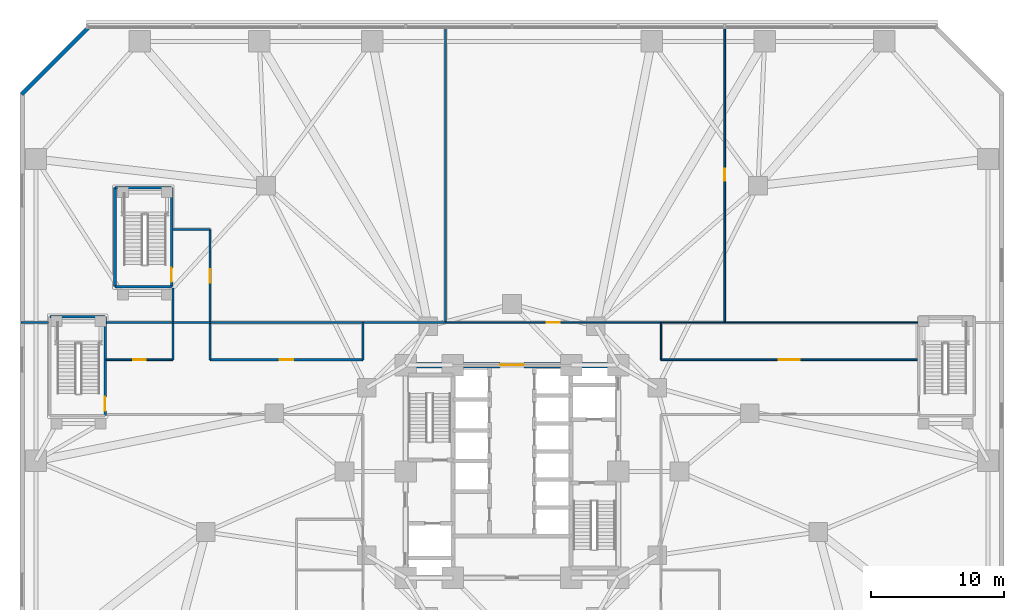
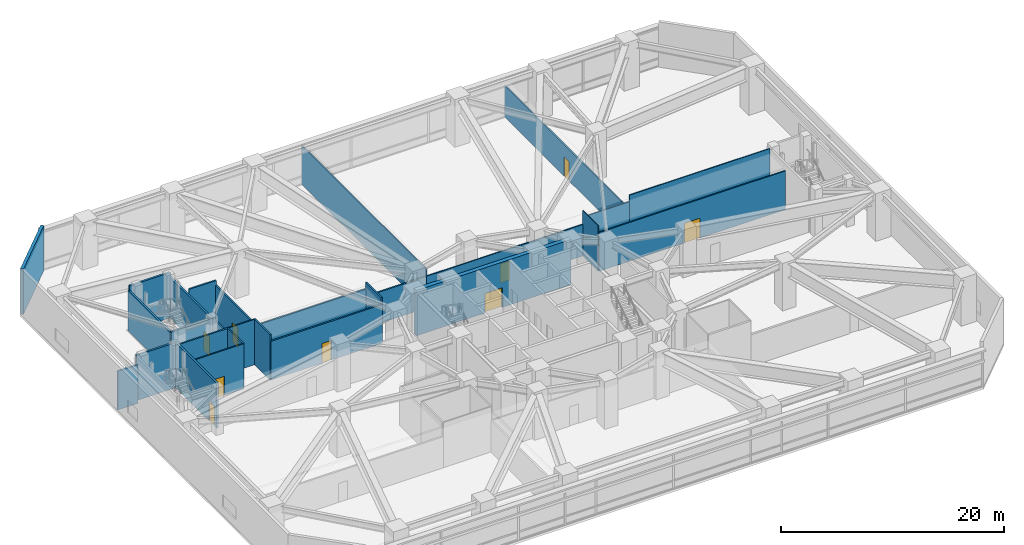
# One storey, part 17 of 27: 28 walls, 9 doors, 9 openings.
"""IFC4 building model written with IfcOpenShell, lengths in metres."""

from ifc_helpers import new_model, si_unit, direction, frame, frame_2d, origin, place, context, subcontext, project, spatial, rectangle, extrude, material, layer, layer_set, type_object, element, fill, save


model = new_model("IFC4")

# Units and contexts
model_context = context("Model", 3, precision=1e-05, world=origin(), true_north=direction((0.0, 1.0)))
body_context = subcontext(model_context, "Body", "Model", "MODEL_VIEW")
ifc_project = project(units=[si_unit("LENGTHUNIT", "METRE"), si_unit("AREAUNIT", "SQUARE_METRE"), si_unit("VOLUMEUNIT", "CUBIC_METRE"), si_unit("PLANEANGLEUNIT", "RADIAN"), si_unit("MASSUNIT", "GRAM", prefix="KILO")], contexts=[model_context])

# Site, building, storey
site_placement = place(None, origin())
site = spatial("IfcSite", under=ifc_project, at=site_placement, CompositionType="ELEMENT")
building_placement = place(site_placement, origin())
building = spatial("IfcBuilding", under=site, at=building_placement, Name="Terralouvre Media Tower", CompositionType="ELEMENT")
storey_placement = place(building_placement, frame((0.0, 0.0, 5.199951171875)))
storey = spatial("IfcBuildingStorey", under=building, at=storey_placement, Name="L01", CompositionType="ELEMENT", Elevation=5.199951171875)

# Wall, opening, door
ifc_material_1 = material(Name="Concrete C60/75", Category="concrete")
ifc_layer_1 = layer(ifc_material_1, 0.419921875, Name="Core Reinforced Concrete Shear Wall CW-420")
ifc_layer_set_1 = layer_set([ifc_layer_1], Name="Concrete C60/75")
wall_type_1 = type_object("IfcWallType", Name="Core Reinforced Concrete Shear Wall CW-420", PredefinedType="SHEAR", material=ifc_layer_set_1)
wall_1_placement = place(storey_placement, frame((-8.0, 8.0, 0.0), z_axis=(0.0, 0.0, 1.0), x_axis=(1.0, 0.0, 0.0)))
wall_1 = element("IfcWall", 1, at=wall_1_placement, inside=storey, type_object=wall_type_1, Name="L01 N Core Shear Wall", PredefinedType="SHEAR", context=body_context, shape_type="SweptSolid", body=[
    extrude(rectangle(XDim=16.0, YDim=0.419921875, at=frame_2d((8.0, 0.0))), origin(), (0.0, 0.0, 1.0), 4.949951171875),
])
opening_1_placement = place(wall_1_placement, frame((7.10009765625, 0.0, 0.0)))
opening_1 = element("IfcOpeningElement", 2, at=opening_1_placement, cuts=wall_1, Name="Opening FD-03", PredefinedType="OPENING", context=body_context, shape_type="SweptSolid", body=[
    extrude(rectangle(XDim=1.800048828125, YDim=2.14990234375, at=frame_2d((0.89990234375, 1.074951171875))), frame((0.0, 0.219970703125, 0.0), z_axis=(0.0, -1.0, 0.0), x_axis=(1.0, 0.0, 0.0)), (0.0, 0.0, 1.0), 0.43994140625),
])
ifc_material_2 = material(Name="Galvanised steel fire-resisting leaf", Category="steel")
door_type_1 = type_object("IfcDoorType", Name="Corridor Smoke-Control Double Door FD-03", OperationType="DOUBLE_DOOR_SINGLE_SWING", PredefinedType="DOOR", material=ifc_material_2)
door_1_placement = place(opening_1_placement, origin())
door_1 = element("IfcDoor", 3, at=door_1_placement, inside=storey, type_object=door_type_1, Name="L01 Central Lift Lobby Portal Door", OperationType="DOUBLE_DOOR_SINGLE_SWING", OverallHeight=2.14990234375, OverallWidth=1.800048828125, PredefinedType="DOOR", context=body_context, shape_type="SweptSolid", body=[
    extrude(rectangle(XDim=1.800048828125, YDim=2.14990234375, at=frame_2d((0.89990234375, 1.074951171875))), frame((0.0, 0.02490234375, 0.0), z_axis=(0.0, -1.0, 0.0), x_axis=(1.0, 0.0, 0.0)), (0.0, 0.0, 1.0), 0.050048828125),
])
fill(opening_1, door_1)

# Walls
ifc_material_3 = material(Name="Low-iron laminated double glazing with solar-control coating", Category="glass")
ifc_layer_2 = layer(ifc_material_3, 0.10009765625, Name="Demountable Glazed Office Partition PT-GL100")
ifc_layer_set_2 = layer_set([ifc_layer_2], Name="Low-iron laminated double glazing with solar-control coating")
wall_type_2 = type_object("IfcWallType", Name="Demountable Glazed Office Partition PT-GL100", PredefinedType="MOVABLE", material=ifc_layer_set_2)
wall_2_placement = place(storey_placement, frame((11.199951171875, 8.39990234375, 0.0), z_axis=(0.0, 0.0, 1.0), x_axis=(0.0, 1.0, 0.0)))
element("IfcWall", 4, at=wall_2_placement, inside=storey, type_object=wall_type_2, Name="L01 Interior Partition 011", PredefinedType="MOVABLE", context=body_context, shape_type="SweptSolid", body=[
    extrude(rectangle(XDim=2.800048828125, YDim=0.10009765625, at=frame_2d((1.39990234375, 0.0))), origin(), (0.0, 0.0, 1.0), 4.949951171875),
])
wall_3_placement = place(storey_placement, frame((30.5, 11.199951171875, 0.0), z_axis=(0.0, 0.0, 1.0), x_axis=(-1.0, 0.0, 0.0)))
element("IfcWall", 5, at=wall_3_placement, inside=storey, type_object=wall_type_2, Name="L01 Interior Partition 036", PredefinedType="MOVABLE", context=body_context, shape_type="SweptSolid", body=[
    extrude(rectangle(XDim=14.5, YDim=0.10009765625, at=frame_2d((7.25, 0.0))), origin(), (0.0, 0.0, 1.0), 4.949951171875),
])
wall_4_placement = place(storey_placement, frame((16.0, 11.199951171875, 0.0), z_axis=(0.0, 0.0, 1.0), x_axis=(-1.0, 0.0, 0.0)))
element("IfcWall", 6, at=wall_4_placement, inside=storey, type_object=wall_type_2, Name="L01 Interior Partition 037", PredefinedType="MOVABLE", context=body_context, shape_type="SweptSolid", body=[
    extrude(rectangle(XDim=4.800048828125, YDim=0.10009765625, at=frame_2d((2.39990234375, 0.0))), origin(), (0.0, 0.0, 1.0), 4.235107421875),
])

# Wall, opening, door
ifc_material_4 = material(Name="Fire-rated gypsum board drywall partition")
ifc_layer_3 = layer(ifc_material_4, 0.199951171875, Name="Fire-Rated Shaft and Lobby Partition FW-200")
ifc_layer_set_3 = layer_set([ifc_layer_3], Name="Fire-rated gypsum board drywall partition")
wall_type_3 = type_object("IfcWallType", Name="Fire-Rated Shaft and Lobby Partition FW-200", PredefinedType="SOLIDWALL", material=ifc_layer_set_3)
wall_5_placement = place(storey_placement, frame((-30.60009765625, 4.199951171875, 0.0), z_axis=(0.0, 0.0, 1.0), x_axis=(0.0, 1.0, 0.0)))
wall_5 = element("IfcWall", 7, at=wall_5_placement, inside=storey, type_object=wall_type_3, Name="L01 ST03 Stair Shaft Wall E", PredefinedType="SOLIDWALL", context=body_context, shape_type="SweptSolid", body=[
    extrude(rectangle(XDim=7.449951171875, YDim=0.199951171875, at=frame_2d((3.72509765625, 0.0))), origin(), (0.0, 0.0, 1.0), 4.949951171875),
])
opening_2_placement = place(wall_5_placement, frame((0.360107421875, 0.0, 0.0)))
opening_2 = element("IfcOpeningElement", 8, at=opening_2_placement, cuts=wall_5, Name="Opening FD-01-105X215", PredefinedType="OPENING", context=body_context, shape_type="SweptSolid", body=[
    extrude(rectangle(XDim=1.050048828125, YDim=2.14990234375, at=frame_2d((0.52490234375, 1.074951171875))), frame((0.0, 0.10986328125, 0.0), z_axis=(0.0, -1.0, 0.0), x_axis=(1.0, 0.0, 0.0)), (0.0, 0.0, 1.0), 0.219970703125),
])
ifc_material_5 = material(Name="Galvanised steel fire-resisting leaf", Category="steel")
door_type_2 = type_object("IfcDoorType", Name="Stair and Firefighting Lobby Fire Door FD-01 (1050x2150)", OperationType="NOTDEFINED", PredefinedType="DOOR", material=ifc_material_5)
door_2_placement = place(opening_2_placement, origin())
door_2 = element("IfcDoor", 9, at=door_2_placement, inside=storey, type_object=door_type_2, Name="L01 ST03 Pressurised Stair Door", OperationType="SINGLE_SWING_RIGHT", OverallHeight=2.14990234375, OverallWidth=1.050048828125, PredefinedType="DOOR", context=body_context, shape_type="SweptSolid", body=[
    extrude(rectangle(XDim=1.050048828125, YDim=2.14990234375, at=frame_2d((0.52490234375, 1.074951171875))), frame((0.0, 0.02490234375, 0.0), z_axis=(0.0, -1.0, 0.0), x_axis=(1.0, 0.0, 0.0)), (0.0, 0.0, 1.0), 0.050048828125),
])
fill(opening_2, door_2)

# Walls
wall_6_placement = place(storey_placement, frame((-30.60009765625, 11.64990234375, 0.0), z_axis=(0.0, 0.0, 1.0), x_axis=(-1.0, 0.0, 0.0)))
element("IfcWall", 10, at=wall_6_placement, inside=storey, type_object=wall_type_3, Name="L01 ST03 Stair Shaft Wall N", PredefinedType="SOLIDWALL", context=body_context, shape_type="SweptSolid", body=[
    extrude(rectangle(XDim=4.14990234375, YDim=0.199951171875, at=frame_2d((2.074951171875, 0.0))), origin(), (0.0, 0.0, 1.0), 4.949951171875),
])
wall_7_placement = place(storey_placement, frame((-29.85009765625, 13.89990234375, 0.0), z_axis=(0.0, 0.0, 1.0), x_axis=(1.0, 0.0, 0.0)))
element("IfcWall", 11, at=wall_7_placement, inside=storey, type_object=wall_type_3, Name="L01 ST06 Stair Shaft Wall S", PredefinedType="SOLIDWALL", context=body_context, shape_type="SweptSolid", body=[
    extrude(rectangle(XDim=4.25, YDim=0.199951171875, at=frame_2d((2.125, 0.0))), origin(), (0.0, 0.0, 1.0), 4.43505859375),
])

# Wall, opening, door
wall_8_placement = place(storey_placement, frame((-25.60009765625, 13.89990234375, 0.0), z_axis=(0.0, 0.0, 1.0), x_axis=(0.0, 1.0, 0.0)))
wall_8 = element("IfcWall", 12, at=wall_8_placement, inside=storey, type_object=wall_type_3, Name="L01 ST06 Stair Shaft Wall E", PredefinedType="SOLIDWALL", context=body_context, shape_type="SweptSolid", body=[
    extrude(rectangle(XDim=7.4501953125, YDim=0.199951171875, at=frame_2d((3.72509765625, 0.0))), origin(), (0.0, 0.0, 1.0), 4.43505859375),
])
opening_3_placement = place(wall_8_placement, frame((0.360107421875, 0.0, 0.0)))
opening_3 = element("IfcOpeningElement", 13, at=opening_3_placement, cuts=wall_8, Name="Opening FD-01-105X215", PredefinedType="OPENING", context=body_context, shape_type="SweptSolid", body=[
    extrude(rectangle(XDim=1.050048828125, YDim=2.14990234375, at=frame_2d((0.52490234375, 1.074951171875))), frame((0.0, 0.10986328125, 0.0), z_axis=(0.0, -1.0, 0.0), x_axis=(1.0, 0.0, 0.0)), (0.0, 0.0, 1.0), 0.219970703125),
])
door_3_placement = place(opening_3_placement, origin())
door_3 = element("IfcDoor", 14, at=door_3_placement, inside=storey, type_object=door_type_2, Name="L01 ST06 Pressurised Stair Door", OperationType="SINGLE_SWING_RIGHT", OverallHeight=2.14990234375, OverallWidth=1.050048828125, PredefinedType="DOOR", context=body_context, shape_type="SweptSolid", body=[
    extrude(rectangle(XDim=1.050048828125, YDim=2.14990234375, at=frame_2d((0.52490234375, 1.074951171875))), frame((0.0, 0.02490234375, 0.0), z_axis=(0.0, -1.0, 0.0), x_axis=(1.0, 0.0, 0.0)), (0.0, 0.0, 1.0), 0.050048828125),
])
fill(opening_3, door_3)

# Walls
wall_9_placement = place(storey_placement, frame((-25.60009765625, 21.35009765625, 0.0), z_axis=(0.0, 0.0, 1.0), x_axis=(-1.0, 0.0, 0.0)))
element("IfcWall", 15, at=wall_9_placement, inside=storey, type_object=wall_type_3, Name="L01 ST06 Stair Shaft Wall N", PredefinedType="SOLIDWALL", context=body_context, shape_type="SweptSolid", body=[
    extrude(rectangle(XDim=4.25, YDim=0.199951171875, at=frame_2d((2.125, 0.0))), origin(), (0.0, 0.0, 1.0), 4.949951171875),
])
wall_10_placement = place(storey_placement, frame((-29.85009765625, 21.35009765625, 0.0), z_axis=(0.0, 0.0, 1.0), x_axis=(0.0, -1.0, 0.0)))
element("IfcWall", 16, at=wall_10_placement, inside=storey, type_object=wall_type_3, Name="L01 ST06 Stair Shaft Wall W", PredefinedType="SOLIDWALL", context=body_context, shape_type="SweptSolid", body=[
    extrude(rectangle(XDim=7.4501953125, YDim=0.199951171875, at=frame_2d((3.72509765625, 0.0))), origin(), (0.0, 0.0, 1.0), 4.43505859375),
])
ifc_material_6 = material(Name="Fire-rated gypsum board drywall partition")
ifc_layer_4 = layer(ifc_material_6, 0.135009765625, Name="Newsroom Acoustic Partition PT-135")
ifc_layer_set_4 = layer_set([ifc_layer_4], Name="Fire-rated gypsum board drywall partition")
wall_type_4 = type_object("IfcWallType", Name="Newsroom Acoustic Partition PT-135", PredefinedType="PARTITIONING", material=ifc_layer_set_4)
wall_11_placement = place(storey_placement, frame((-22.699951171875, 11.199951171875, 0.0), z_axis=(0.0, 0.0, 1.0), x_axis=(-1.0, 0.0, 0.0)))
element("IfcWall", 17, at=wall_11_placement, inside=storey, type_object=wall_type_4, Name="L01 Interior Partition 001", PredefinedType="PARTITIONING", context=body_context, shape_type="SweptSolid", body=[
    extrude(rectangle(XDim=2.800048828125, YDim=0.135009765625, at=frame_2d((1.39990234375, 0.0))), origin(), (0.0, 0.0, 1.0), 4.949951171875),
])

# Wall, opening, door
wall_12_placement = place(storey_placement, frame((30.5, 8.39990234375, 0.0), z_axis=(0.0, 0.0, 1.0), x_axis=(-1.0, 0.0, 0.0)))
wall_12 = element("IfcWall", 18, at=wall_12_placement, inside=storey, type_object=wall_type_4, Name="L01 Interior Partition 010", PredefinedType="PARTITIONING", context=body_context, shape_type="SweptSolid", body=[
    extrude(rectangle(XDim=19.300048828125, YDim=0.135009765625, at=frame_2d((9.64990234375, 0.0))), origin(), (0.0, 0.0, 1.0), 4.235107421875),
])
opening_4_placement = place(wall_12_placement, frame((8.85009765625, 0.0, 0.0)))
opening_4 = element("IfcOpeningElement", 19, at=opening_4_placement, cuts=wall_12, Name="Opening ID-04-160X215", PredefinedType="OPENING", context=body_context, shape_type="SweptSolid", body=[
    extrude(rectangle(XDim=1.60009765625, YDim=2.14990234375, at=frame_2d((0.800048828125, 1.074951171875))), frame((0.0, 0.077392578125, 0.0), z_axis=(0.0, -1.0, 0.0), x_axis=(1.0, 0.0, 0.0)), (0.0, 0.0, 1.0), 0.155029296875),
])
ifc_material_7 = material(Name="Engineered hardwood acoustic timber leaf", Category="wood")
door_type_3 = type_object("IfcDoorType", Name="Conference Double Acoustic Door ID-04 (1600x2150)", OperationType="DOUBLE_DOOR_SINGLE_SWING", PredefinedType="DOOR", material=ifc_material_7)
door_4_placement = place(opening_4_placement, origin())
door_4 = element("IfcDoor", 20, at=door_4_placement, inside=storey, type_object=door_type_3, Name="L01 L01 Production Briefing Conference Room 6 Door", OperationType="DOUBLE_DOOR_SINGLE_SWING", OverallHeight=2.14990234375, OverallWidth=1.60009765625, PredefinedType="DOOR", context=body_context, shape_type="SweptSolid", body=[
    extrude(rectangle(XDim=1.60009765625, YDim=2.14990234375, at=frame_2d((0.800048828125, 1.074951171875))), frame((0.0, 0.02490234375, 0.0), z_axis=(0.0, -1.0, 0.0), x_axis=(1.0, 0.0, 0.0)), (0.0, 0.0, 1.0), 0.050048828125),
])
fill(opening_4, door_4)

# Wall
wall_13_placement = place(storey_placement, frame((-25.5, 11.199951171875, 0.0), z_axis=(0.0, 0.0, 1.0), x_axis=(0.0, -1.0, 0.0)))
element("IfcWall", 21, at=wall_13_placement, inside=storey, type_object=wall_type_4, Name="L01 Interior Partition 017", PredefinedType="PARTITIONING", context=body_context, shape_type="SweptSolid", body=[
    extrude(rectangle(XDim=2.800048828125, YDim=0.135009765625, at=frame_2d((1.39990234375, 0.0))), origin(), (0.0, 0.0, 1.0), 4.949951171875),
])

# Wall, opening, door
wall_14_placement = place(storey_placement, frame((-25.5, 8.39990234375, 0.0), z_axis=(0.0, 0.0, 1.0), x_axis=(-1.0, 0.0, 0.0)))
wall_14 = element("IfcWall", 22, at=wall_14_placement, inside=storey, type_object=wall_type_4, Name="L01 Interior Partition 018", PredefinedType="PARTITIONING", context=body_context, shape_type="SweptSolid", body=[
    extrude(rectangle(XDim=5.0, YDim=0.135009765625, at=frame_2d((2.5, 0.0))), origin(), (0.0, 0.0, 1.0), 4.949951171875),
])
opening_5_placement = place(wall_14_placement, frame((2.02490234375, 0.0, 0.0)))
opening_5 = element("IfcOpeningElement", 23, at=opening_5_placement, cuts=wall_14, Name="Opening ID-02-95X210", PredefinedType="OPENING", context=body_context, shape_type="SweptSolid", body=[
    extrude(rectangle(XDim=0.949951171875, YDim=2.10009765625, at=frame_2d((0.47509765625, 1.050048828125))), frame((0.0, 0.077392578125, 0.0), z_axis=(0.0, -1.0, 0.0), x_axis=(1.0, 0.0, 0.0)), (0.0, 0.0, 1.0), 0.155029296875),
])
ifc_material_8 = material(Name="Engineered hardwood acoustic timber leaf", Category="wood")
door_type_4 = type_object("IfcDoorType", Name="Office and Meeting Room Door ID-02 (950x2100)", OperationType="NOTDEFINED", PredefinedType="DOOR", material=ifc_material_8)
door_5_placement = place(opening_5_placement, origin())
door_5 = element("IfcDoor", 24, at=door_5_placement, inside=storey, type_object=door_type_4, Name="L01 L01 Live Audience Warm-Up Foyer 11 Door", OperationType="SINGLE_SWING_RIGHT", OverallHeight=2.10009765625, OverallWidth=0.949951171875, PredefinedType="DOOR", context=body_context, shape_type="SweptSolid", body=[
    extrude(rectangle(XDim=0.949951171875, YDim=2.10009765625, at=frame_2d((0.47509765625, 1.050048828125))), frame((0.0, 0.02490234375, 0.0), z_axis=(0.0, -1.0, 0.0), x_axis=(1.0, 0.0, 0.0)), (0.0, 0.0, 1.0), 0.050048828125),
])
fill(opening_5, door_5)

wall_15_placement = place(storey_placement, frame((16.0, 33.419921875, 0.0), z_axis=(0.0, 0.0, 1.0), x_axis=(0.0, -1.0, 0.0)))
wall_15 = element("IfcWall", 25, at=wall_15_placement, inside=storey, type_object=wall_type_4, Name="L01 Interior Partition 038", PredefinedType="PARTITIONING", context=body_context, shape_type="SweptSolid", body=[
    extrude(rectangle(XDim=22.219970703125, YDim=0.135009765625, at=frame_2d((11.10986328125, 0.0))), origin(), (0.0, 0.0, 1.0), 3.43505859375),
])
opening_6_placement = place(wall_15_placement, frame((10.64990234375, 0.0, 0.0)))
opening_6 = element("IfcOpeningElement", 26, at=opening_6_placement, cuts=wall_15, Name="Opening ID-03-92X210", PredefinedType="OPENING", context=body_context, shape_type="SweptSolid", body=[
    extrude(rectangle(XDim=0.919921875, YDim=2.10009765625, at=frame_2d((0.4599609375, 1.050048828125))), frame((0.0, 0.077392578125, 0.0), z_axis=(0.0, -1.0, 0.0), x_axis=(1.0, 0.0, 0.0)), (0.0, 0.0, 1.0), 0.155029296875),
])
ifc_material_9 = material(Name="Engineered hardwood acoustic timber leaf", Category="wood")
door_type_5 = type_object("IfcDoorType", Name="Accessible Restroom and Suite Door ID-03 (920x2100)", OperationType="NOTDEFINED", PredefinedType="DOOR", material=ifc_material_9)
door_6_placement = place(opening_6_placement, origin())
door_6 = element("IfcDoor", 27, at=door_6_placement, inside=storey, type_object=door_type_5, Name="L01 L01 Presenter Green Lounge 7 Door", OperationType="SINGLE_SWING_LEFT", OverallHeight=2.10009765625, OverallWidth=0.919921875, PredefinedType="DOOR", context=body_context, shape_type="SweptSolid", body=[
    extrude(rectangle(XDim=0.919921875, YDim=2.10009765625, at=frame_2d((0.4599609375, 1.050048828125))), frame((0.0, 0.02490234375, 0.0), z_axis=(0.0, -1.0, 0.0), x_axis=(1.0, 0.0, 0.0)), (0.0, 0.0, 1.0), 0.050048828125),
])
fill(opening_6, door_6)

# Wall
ifc_material_10 = material(Name="Kiln-fired architectural terracotta rainscreen cladding", Category="masonry")
ifc_layer_5 = layer(ifc_material_10, 0.300048828125, Name="Podium Acoustic Terracotta Cladding Wall EW-TC300")
ifc_layer_set_5 = layer_set([ifc_layer_5], Name="Kiln-fired architectural terracotta rainscreen cladding")
wall_type_5 = type_object("IfcWallType", Name="Podium Acoustic Terracotta Cladding Wall EW-TC300", PredefinedType="SOLIDWALL", material=ifc_layer_set_5)
wall_16_placement = place(storey_placement, frame((-31.876220703125, 33.376220703125, 0.0), z_axis=(0.0, 0.0, 1.0), x_axis=(-0.707106781187, -0.707106781187, 0.0)))
element("IfcWall", 28, at=wall_16_placement, inside=storey, type_object=wall_type_5, Name="L01 Podium Terracotta Wall F5", PredefinedType="SOLIDWALL", context=body_context, shape_type="SweptSolid", body=[
    extrude(rectangle(XDim=7.071044921875, YDim=0.300048828125, at=frame_2d((3.53564453125, 0.0))), origin(), (0.0, 0.0, 1.0), 4.949951171875),
])

# Wall, opening, door
ifc_material_11 = material(Name="Fire-rated gypsum board drywall partition")
ifc_layer_6 = layer(ifc_material_11, 0.114990234375, Name="Restroom and Pantry Partition PT-115")
ifc_layer_set_6 = layer_set([ifc_layer_6], Name="Fire-rated gypsum board drywall partition")
wall_type_6 = type_object("IfcWallType", Name="Restroom and Pantry Partition PT-115", PredefinedType="PARTITIONING", material=ifc_layer_set_6)
wall_17_placement = place(storey_placement, frame((11.199951171875, 11.199951171875, 0.0), z_axis=(0.0, 0.0, 1.0), x_axis=(-1.0, 0.0, 0.0)))
wall_17 = element("IfcWall", 29, at=wall_17_placement, inside=storey, type_object=wall_type_6, Name="L01 Interior Partition 012", PredefinedType="PARTITIONING", context=body_context, shape_type="SweptSolid", body=[
    extrude(rectangle(XDim=16.199951171875, YDim=0.114990234375, at=frame_2d((8.10009765625, 0.0))), origin(), (0.0, 0.0, 1.0), 3.43505859375),
])
opening_7_placement = place(wall_17_placement, frame((7.625, 0.0, 0.0)))
opening_7 = element("IfcOpeningElement", 30, at=opening_7_placement, cuts=wall_17, Name="Opening SD-01-95X210", PredefinedType="OPENING", context=body_context, shape_type="SweptSolid", body=[
    extrude(rectangle(XDim=0.949951171875, YDim=2.10009765625, at=frame_2d((0.47509765625, 1.050048828125))), frame((0.0, 0.0673828125, 0.0), z_axis=(0.0, -1.0, 0.0), x_axis=(1.0, 0.0, 0.0)), (0.0, 0.0, 1.0), 0.135009765625),
])
ifc_material_12 = material(Name="Anodised extruded aluminium 6063-T6", Category="aluminium")
door_type_6 = type_object("IfcDoorType", Name="Pantry Pocket Sliding Door SD-01 (950x2100)", OperationType="SLIDING_TO_LEFT", PredefinedType="DOOR", material=ifc_material_12)
door_7_placement = place(opening_7_placement, origin())
door_7 = element("IfcDoor", 31, at=door_7_placement, inside=storey, type_object=door_type_6, Name="L01 L01 Hospitality Pantry Kitchen 8 Door", OperationType="SLIDING_TO_LEFT", OverallHeight=2.10009765625, OverallWidth=0.949951171875, PredefinedType="DOOR", context=body_context, shape_type="SweptSolid", body=[
    extrude(rectangle(XDim=0.949951171875, YDim=2.10009765625, at=frame_2d((0.47509765625, 1.050048828125))), frame((0.0, 0.02490234375, 0.0), z_axis=(0.0, -1.0, 0.0), x_axis=(1.0, 0.0, 0.0)), (0.0, 0.0, 1.0), 0.050048828125),
])
fill(opening_7, door_7)

# Walls
wall_18_placement = place(storey_placement, frame((-5.0, 33.419921875, 0.0), z_axis=(0.0, 0.0, 1.0), x_axis=(0.0, -1.0, 0.0)))
element("IfcWall", 32, at=wall_18_placement, inside=storey, type_object=wall_type_6, Name="L01 Interior Partition 039", PredefinedType="PARTITIONING", context=body_context, shape_type="SweptSolid", body=[
    extrude(rectangle(XDim=22.219970703125, YDim=0.114990234375, at=frame_2d((11.10986328125, 0.0))), origin(), (0.0, 0.0, 1.0), 4.235107421875),
])
ifc_material_13 = material(Name="Fire-rated gypsum board drywall partition")
ifc_layer_7 = layer(ifc_material_13, 0.159912109375, Name="Studio Acoustic Rated Partition PT-160")
ifc_layer_set_7 = layer_set([ifc_layer_7], Name="Fire-rated gypsum board drywall partition")
wall_type_7 = type_object("IfcWallType", Name="Studio Acoustic Rated Partition PT-160", PredefinedType="PARTITIONING", material=ifc_layer_set_7)
wall_19_placement = place(storey_placement, frame((-5.0, 11.199951171875, 0.0), z_axis=(0.0, 0.0, 1.0), x_axis=(-1.0, 0.0, 0.0)))
element("IfcWall", 33, at=wall_19_placement, inside=storey, type_object=wall_type_7, Name="L01 Interior Partition 013", PredefinedType="PARTITIONING", context=body_context, shape_type="SweptSolid", body=[
    extrude(rectangle(XDim=6.199951171875, YDim=0.159912109375, at=frame_2d((3.10009765625, 0.0))), origin(), (0.0, 0.0, 1.0), 3.43505859375),
])
wall_20_placement = place(storey_placement, frame((-11.199951171875, 11.199951171875, 0.0), z_axis=(0.0, 0.0, 1.0), x_axis=(0.0, -1.0, 0.0)))
element("IfcWall", 34, at=wall_20_placement, inside=storey, type_object=wall_type_7, Name="L01 Interior Partition 014", PredefinedType="PARTITIONING", context=body_context, shape_type="SweptSolid", body=[
    extrude(rectangle(XDim=2.800048828125, YDim=0.159912109375, at=frame_2d((1.39990234375, 0.0))), origin(), (0.0, 0.0, 1.0), 4.949951171875),
])

# Wall, opening, door
wall_21_placement = place(storey_placement, frame((-11.199951171875, 8.39990234375, 0.0), z_axis=(0.0, 0.0, 1.0), x_axis=(-1.0, 0.0, 0.0)))
wall_21 = element("IfcWall", 35, at=wall_21_placement, inside=storey, type_object=wall_type_7, Name="L01 Interior Partition 015", PredefinedType="PARTITIONING", context=body_context, shape_type="SweptSolid", body=[
    extrude(rectangle(XDim=11.5, YDim=0.159912109375, at=frame_2d((5.75, 0.0))), origin(), (0.0, 0.0, 1.0), 4.235107421875),
])
opening_8_placement = place(wall_21_placement, frame((5.25, 0.0, 0.0)))
opening_8 = element("IfcOpeningElement", 36, at=opening_8_placement, cuts=wall_21, Name="Opening ID-01-100X215", PredefinedType="OPENING", context=body_context, shape_type="SweptSolid", body=[
    extrude(rectangle(XDim=1.0, YDim=2.14990234375, at=frame_2d((0.5, 1.074951171875))), frame((0.0, 0.08984375, 0.0), z_axis=(0.0, -1.0, 0.0), x_axis=(1.0, 0.0, 0.0)), (0.0, 0.0, 1.0), 0.179931640625),
])
ifc_material_14 = material(Name="Engineered hardwood acoustic timber leaf", Category="wood")
door_type_7 = type_object("IfcDoorType", Name="Broadcast Studio Acoustic Single Door ID-01 (1000x2150)", OperationType="NOTDEFINED", PredefinedType="DOOR", material=ifc_material_14)
door_8_placement = place(opening_8_placement, origin())
door_8 = element("IfcDoor", 37, at=door_8_placement, inside=storey, type_object=door_type_7, Name="L01 L01 Broadcast Television Studio Hall B 10 Door", OperationType="SINGLE_SWING_LEFT", OverallHeight=2.14990234375, OverallWidth=1.0, PredefinedType="DOOR", context=body_context, shape_type="SweptSolid", body=[
    extrude(rectangle(XDim=1.0, YDim=2.14990234375, at=frame_2d((0.5, 1.074951171875))), frame((0.0, 0.02490234375, 0.0), z_axis=(0.0, -1.0, 0.0), x_axis=(1.0, 0.0, 0.0)), (0.0, 0.0, 1.0), 0.050048828125),
])
fill(opening_8, door_8)

# Walls
wall_22_placement = place(storey_placement, frame((-22.699951171875, 8.39990234375, 0.0), z_axis=(0.0, 0.0, 1.0), x_axis=(0.0, 1.0, 0.0)))
element("IfcWall", 38, at=wall_22_placement, inside=storey, type_object=wall_type_7, Name="L01 Interior Partition 016", PredefinedType="PARTITIONING", context=body_context, shape_type="SweptSolid", body=[
    extrude(rectangle(XDim=2.800048828125, YDim=0.159912109375, at=frame_2d((1.39990234375, 0.0))), origin(), (0.0, 0.0, 1.0), 4.949951171875),
])
wall_23_placement = place(storey_placement, frame((-25.5, 13.800048828125, 0.0), z_axis=(0.0, 0.0, 1.0), x_axis=(0.0, -1.0, 0.0)))
element("IfcWall", 39, at=wall_23_placement, inside=storey, type_object=wall_type_7, Name="L01 Interior Partition 019", PredefinedType="PARTITIONING", context=body_context, shape_type="SweptSolid", body=[
    extrude(rectangle(XDim=2.60009765625, YDim=0.159912109375, at=frame_2d((1.300048828125, 0.0))), origin(), (0.0, 0.0, 1.0), 4.43505859375),
])

# Wall, opening, door
wall_24_placement = place(storey_placement, frame((-22.699951171875, 11.199951171875, 0.0), z_axis=(0.0, 0.0, 1.0), x_axis=(0.0, 1.0, 0.0)))
wall_24 = element("IfcWall", 40, at=wall_24_placement, inside=storey, type_object=wall_type_7, Name="L01 Interior Partition 020", PredefinedType="PARTITIONING", context=body_context, shape_type="SweptSolid", body=[
    extrude(rectangle(XDim=7.0, YDim=0.159912109375, at=frame_2d((3.5, 0.0))), origin(), (0.0, 0.0, 1.0), 4.43505859375),
])
opening_9_placement = place(wall_24_placement, frame((3.0, 0.0, 0.0)))
opening_9 = element("IfcOpeningElement", 41, at=opening_9_placement, cuts=wall_24, Name="Opening ID-01-100X215", PredefinedType="OPENING", context=body_context, shape_type="SweptSolid", body=[
    extrude(rectangle(XDim=1.0, YDim=2.14990234375, at=frame_2d((0.5, 1.074951171875))), frame((0.0, 0.08984375, 0.0), z_axis=(0.0, -1.0, 0.0), x_axis=(1.0, 0.0, 0.0)), (0.0, 0.0, 1.0), 0.179931640625),
])
door_9_placement = place(opening_9_placement, origin())
door_9 = element("IfcDoor", 42, at=door_9_placement, inside=storey, type_object=door_type_7, Name="L01 L01 Broadcast Television Studio Hall A 9 Door", OperationType="SINGLE_SWING_RIGHT", OverallHeight=2.14990234375, OverallWidth=1.0, PredefinedType="DOOR", context=body_context, shape_type="SweptSolid", body=[
    extrude(rectangle(XDim=1.0, YDim=2.14990234375, at=frame_2d((0.5, 1.074951171875))), frame((0.0, 0.02490234375, 0.0), z_axis=(0.0, -1.0, 0.0), x_axis=(1.0, 0.0, 0.0)), (0.0, 0.0, 1.0), 0.050048828125),
])
fill(opening_9, door_9)

# Walls
wall_25_placement = place(storey_placement, frame((-22.699951171875, 18.199951171875, 0.0), z_axis=(0.0, 0.0, 1.0), x_axis=(-1.0, 0.0, 0.0)))
element("IfcWall", 43, at=wall_25_placement, inside=storey, type_object=wall_type_7, Name="L01 Interior Partition 021", PredefinedType="PARTITIONING", context=body_context, shape_type="SweptSolid", body=[
    extrude(rectangle(XDim=2.800048828125, YDim=0.159912109375, at=frame_2d((1.39990234375, 0.0))), origin(), (0.0, 0.0, 1.0), 4.949951171875),
])
wall_26_placement = place(storey_placement, frame((-34.85009765625, 11.199951171875, 0.0), z_axis=(0.0, 0.0, 1.0), x_axis=(-1.0, 0.0, 0.0)))
element("IfcWall", 44, at=wall_26_placement, inside=storey, type_object=wall_type_7, Name="L01 Interior Partition 026", PredefinedType="PARTITIONING", context=body_context, shape_type="SweptSolid", body=[
    extrude(rectangle(XDim=2.06982421875, YDim=0.159912109375, at=frame_2d((1.034912109375, 0.0))), origin(), (0.0, 0.0, 1.0), 4.235107421875),
])
wall_27_placement = place(storey_placement, frame((-22.699951171875, 11.199951171875, 0.0), z_axis=(0.0, 0.0, 1.0), x_axis=(1.0, 0.0, 0.0)))
element("IfcWall", 45, at=wall_27_placement, inside=storey, type_object=wall_type_7, Name="L01 Interior Partition 040", PredefinedType="PARTITIONING", context=body_context, shape_type="SweptSolid", body=[
    extrude(rectangle(XDim=11.5, YDim=0.159912109375, at=frame_2d((5.75, 0.0))), origin(), (0.0, 0.0, 1.0), 4.235107421875),
])
wall_28_placement = place(storey_placement, frame((-30.5, 11.199951171875, 0.0), z_axis=(0.0, 0.0, 1.0), x_axis=(1.0, 0.0, 0.0)))
element("IfcWall", 46, at=wall_28_placement, inside=storey, type_object=wall_type_7, Name="L01 Interior Partition 041", PredefinedType="PARTITIONING", context=body_context, shape_type="SweptSolid", body=[
    extrude(rectangle(XDim=5.0, YDim=0.159912109375, at=frame_2d((2.5, 0.0))), origin(), (0.0, 0.0, 1.0), 4.949951171875),
])

save(model, "model.ifc")
